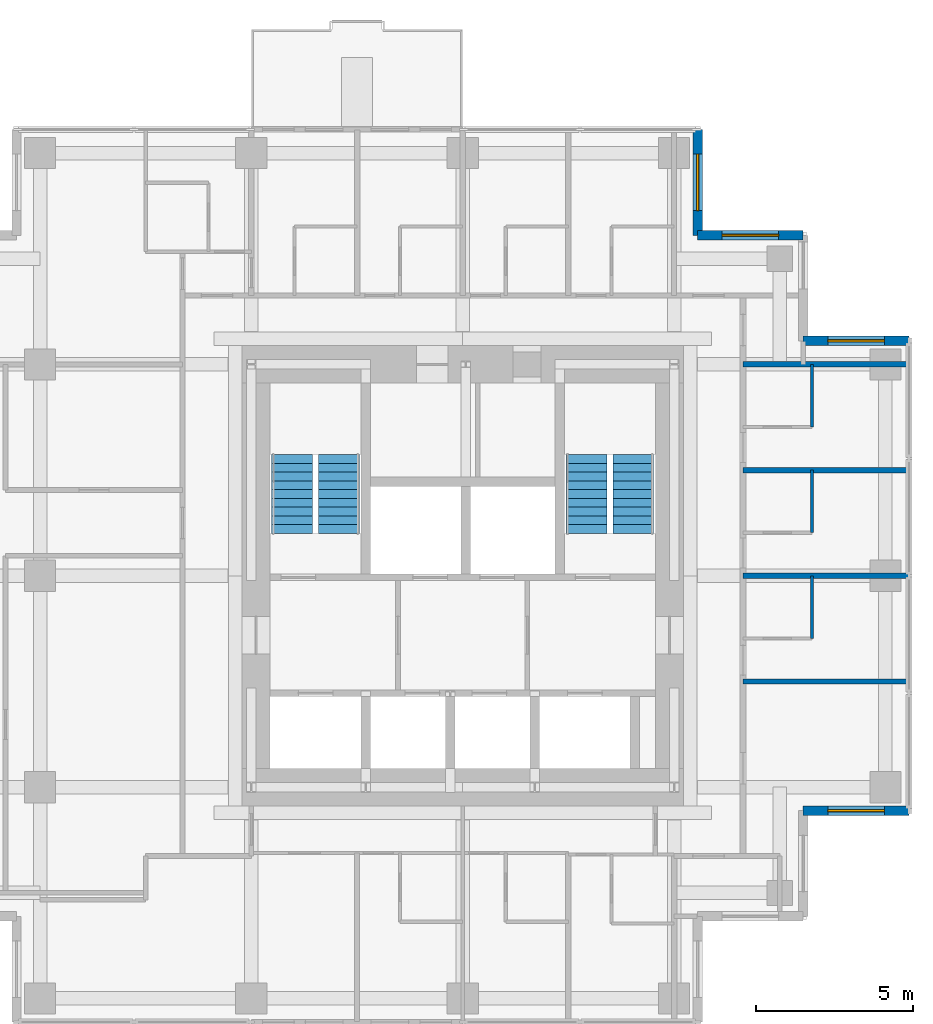
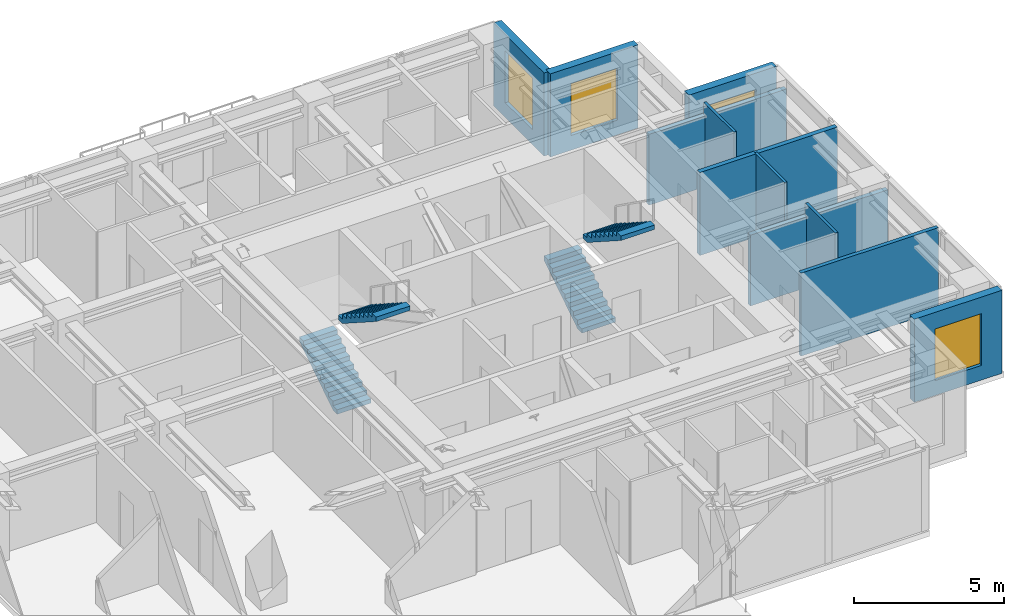
# One storey, part 7 of 8: 11 walls, 4 stair flights, 4 windows, 4 openings, 2 elements without a shape of their own.
"""IFC4 building model written with IfcOpenShell, lengths in metres."""

from ifc_helpers import new_model, si_unit, direction, frame, frame_2d, origin, place, context, subcontext, project, spatial, polyline, rectangle, outline, extrude, material, layer, layer_set, type_object, element, fill, aggregate, save


model = new_model("IFC4")

# Units and contexts
model_context = context("Model", 3, precision=1e-05, world=origin(), true_north=direction((0.0, 1.0)))
body_context = subcontext(model_context, "Body", "Model", "MODEL_VIEW")
ifc_project = project(units=[si_unit("LENGTHUNIT", "METRE"), si_unit("AREAUNIT", "SQUARE_METRE"), si_unit("VOLUMEUNIT", "CUBIC_METRE"), si_unit("PLANEANGLEUNIT", "RADIAN"), si_unit("MASSUNIT", "GRAM", prefix="KILO")], contexts=[model_context])

# Site, building, storey
site_placement = place(None, origin())
site = spatial("IfcSite", under=ifc_project, at=site_placement, CompositionType="ELEMENT")
building_placement = place(site_placement, origin())
building = spatial("IfcBuilding", under=site, at=building_placement, Name="Nyansa Garden Tower", CompositionType="ELEMENT")
storey_placement = place(building_placement, frame((0.0, 0.0, 233.10009765625)))
storey = spatial("IfcBuildingStorey", under=building, at=storey_placement, Name="L63", CompositionType="ELEMENT", Elevation=233.10009765625)

# Walls
ifc_material_1 = material(Name="Dense blockwork, plastered both sides, 55 dB", Category="masonry")
ifc_layer_1 = layer(ifc_material_1, 0.175048828125)
ifc_layer_set_1 = layer_set([ifc_layer_1], Name="Acoustic party wall PW175")
wall_type_1 = type_object("IfcWallType", Name="Acoustic party wall PW175", PredefinedType="PARTITIONING", material=ifc_layer_set_1)
wall_1_placement = place(storey_placement, frame((29.199951171875, 20.25, 0.0), z_axis=(0.0, 0.0, 1.0), x_axis=(1.0, 0.0, 0.0)))
element("IfcWall", 1, at=wall_1_placement, inside=storey, type_object=wall_type_1, Name="Party wall", PredefinedType="PARTITIONING", context=body_context, shape_type="SweptSolid", body=[
    extrude(rectangle(XDim=5.283935546875, YDim=0.175048828125, at=frame_2d((2.64208984375, 0.0))), origin(), (0.0, 0.0, 1.0), 2.876953125),
])
wall_2_placement = place(storey_placement, frame((29.199951171875, 23.625, 0.0), z_axis=(0.0, 0.0, 1.0), x_axis=(1.0, 0.0, 0.0)))
element("IfcWall", 2, at=wall_2_placement, inside=storey, type_object=wall_type_1, Name="Party wall", PredefinedType="PARTITIONING", context=body_context, shape_type="SweptSolid", body=[
    extrude(rectangle(XDim=5.283935546875, YDim=0.175048828125, at=frame_2d((2.64208984375, 0.0))), origin(), (0.0, 0.0, 1.0), 3.375),
])
wall_3_placement = place(storey_placement, frame((29.199951171875, 27.0, 0.0), z_axis=(0.0, 0.0, 1.0), x_axis=(1.0, 0.0, 0.0)))
element("IfcWall", 3, at=wall_3_placement, inside=storey, type_object=wall_type_1, Name="Party wall", PredefinedType="PARTITIONING", context=body_context, shape_type="SweptSolid", body=[
    extrude(rectangle(XDim=5.283935546875, YDim=0.175048828125, at=frame_2d((2.64208984375, 0.0))), origin(), (0.0, 0.0, 1.0), 2.876953125),
])
ifc_material_2 = material(Name="Blockwork, plastered both sides", Category="masonry")
ifc_layer_2 = layer(ifc_material_2, 0.14990234375)
ifc_layer_set_2 = layer_set([ifc_layer_2], Name="Partition PW150")
wall_type_2 = type_object("IfcWallType", Name="Partition PW150", PredefinedType="PARTITIONING", material=ifc_layer_set_2)
wall_4_placement = place(storey_placement, frame((29.199951171875, 16.875, 0.0), z_axis=(0.0, 0.0, 1.0), x_axis=(1.0, 0.0, 0.0)))
element("IfcWall", 4, at=wall_4_placement, inside=storey, type_object=wall_type_2, Name="Partition", PredefinedType="PARTITIONING", context=body_context, shape_type="SweptSolid", body=[
    extrude(rectangle(XDim=5.283935546875, YDim=0.14990234375, at=frame_2d((2.64208984375, 0.0))), origin(), (0.0, 0.0, 1.0), 3.375),
])

# Wall, opening, window
ifc_material_3 = material(Name="Turquoise glazed tile on concrete blockwork", Category="masonry")
ifc_layer_3 = layer(ifc_material_3, 0.300048828125)
ifc_layer_set_3 = layer_set([ifc_layer_3], Name="Tiled corner wall TW300")
wall_type_3 = type_object("IfcWallType", Name="Tiled corner wall TW300", PredefinedType="SOLIDWALL", material=ifc_layer_set_3)
wall_5_placement = place(storey_placement, frame((34.5, 27.75, 0.0), z_axis=(0.0, 0.0, 1.0), x_axis=(-1.0, 0.0, 0.0)))
wall_5 = element("IfcWall", 5, at=wall_5_placement, inside=storey, type_object=wall_type_3, Name="Tiled corner wall L63", PredefinedType="SOLIDWALL", context=body_context, shape_type="SweptSolid", body=[
    extrude(rectangle(XDim=3.375, YDim=0.300048828125, at=frame_2d((1.6875, 0.0))), origin(), (0.0, 0.0, 1.0), 3.375),
])
opening_1_placement = place(wall_5_placement, frame((0.78759765625, 0.0, 0.60009765625)))
opening_1 = element("IfcOpeningElement", 6, at=opening_1_placement, cuts=wall_5, Name="Opening W2", PredefinedType="OPENING", context=body_context, shape_type="SweptSolid", body=[
    extrude(rectangle(XDim=1.800048828125, YDim=2.10009765625, at=frame_2d((0.89990234375, 1.050048828125))), frame((0.0, 0.159912109375, 0.0), z_axis=(0.0, -1.0, 0.0), x_axis=(1.0, 0.0, 0.0)), (0.0, 0.0, 1.0), 0.320068359375),
])
ifc_material_4 = material(Name="Black aluminium frame, dark tinted double glazing", Category="aluminium")
window_type = type_object("IfcWindowType", Name="Window W2 1800x2100", PartitioningType="SINGLE_PANEL", PredefinedType="WINDOW", material=ifc_material_4)
window_1_placement = place(opening_1_placement, origin())
window_1 = element("IfcWindow", 7, at=window_1_placement, inside=storey, type_object=window_type, Name="Corner window L63", OverallHeight=2.10009765625, OverallWidth=1.800048828125, PartitioningType="SINGLE_PANEL", PredefinedType="WINDOW", context=body_context, shape_type="SweptSolid", body=[
    extrude(rectangle(XDim=1.800048828125, YDim=2.10009765625, at=frame_2d((0.89990234375, 1.050048828125))), frame((0.0, 0.030029296875, 0.0), z_axis=(0.0, -1.0, 0.0), x_axis=(1.0, 0.0, 0.0)), (0.0, 0.0, 1.0), 0.06005859375),
])
fill(opening_1, window_1)

wall_6_placement = place(storey_placement, frame((31.125, 31.125, 0.0), z_axis=(0.0, 0.0, 1.0), x_axis=(-1.0, 0.0, 0.0)))
wall_6 = element("IfcWall", 8, at=wall_6_placement, inside=storey, type_object=wall_type_3, Name="Tiled corner wall L63", PredefinedType="SOLIDWALL", context=body_context, shape_type="SweptSolid", body=[
    extrude(rectangle(XDim=3.375, YDim=0.300048828125, at=frame_2d((1.6875, 0.0))), origin(), (0.0, 0.0, 1.0), 3.375),
])
opening_2_placement = place(wall_6_placement, frame((0.78759765625, 0.0, 0.60009765625)))
opening_2 = element("IfcOpeningElement", 9, at=opening_2_placement, cuts=wall_6, Name="Opening W2", PredefinedType="OPENING", context=body_context, shape_type="SweptSolid", body=[
    extrude(rectangle(XDim=1.800048828125, YDim=2.10009765625, at=frame_2d((0.89990234375, 1.050048828125))), frame((0.0, 0.159912109375, 0.0), z_axis=(0.0, -1.0, 0.0), x_axis=(1.0, 0.0, 0.0)), (0.0, 0.0, 1.0), 0.320068359375),
])
window_2_placement = place(opening_2_placement, origin())
window_2 = element("IfcWindow", 10, at=window_2_placement, inside=storey, type_object=window_type, Name="Corner window L63", OverallHeight=2.10009765625, OverallWidth=1.800048828125, PartitioningType="SINGLE_PANEL", PredefinedType="WINDOW", context=body_context, shape_type="SweptSolid", body=[
    extrude(rectangle(XDim=1.800048828125, YDim=2.10009765625, at=frame_2d((0.89990234375, 1.050048828125))), frame((0.0, 0.030029296875, 0.0), z_axis=(0.0, -1.0, 0.0), x_axis=(1.0, 0.0, 0.0)), (0.0, 0.0, 1.0), 0.06005859375),
])
fill(opening_2, window_2)

wall_7_placement = place(storey_placement, frame((27.75, 31.125, 0.0), z_axis=(0.0, 0.0, 1.0), x_axis=(0.0, 1.0, 0.0)))
wall_7 = element("IfcWall", 11, at=wall_7_placement, inside=storey, type_object=wall_type_3, Name="Tiled corner wall L63", PredefinedType="SOLIDWALL", context=body_context, shape_type="SweptSolid", body=[
    extrude(rectangle(XDim=3.375, YDim=0.300048828125, at=frame_2d((1.6875, 0.0))), origin(), (0.0, 0.0, 1.0), 3.375),
])
opening_3_placement = place(wall_7_placement, frame((0.78759765625, 0.0, 0.60009765625)))
opening_3 = element("IfcOpeningElement", 12, at=opening_3_placement, cuts=wall_7, Name="Opening W2", PredefinedType="OPENING", context=body_context, shape_type="SweptSolid", body=[
    extrude(rectangle(XDim=1.800048828125, YDim=2.10009765625, at=frame_2d((0.89990234375, 1.050048828125))), frame((0.0, 0.159912109375, 0.0), z_axis=(0.0, -1.0, 0.0), x_axis=(1.0, 0.0, 0.0)), (0.0, 0.0, 1.0), 0.320068359375),
])
window_3_placement = place(opening_3_placement, origin())
window_3 = element("IfcWindow", 13, at=window_3_placement, inside=storey, type_object=window_type, Name="Corner window L63", OverallHeight=2.10009765625, OverallWidth=1.800048828125, PartitioningType="SINGLE_PANEL", PredefinedType="WINDOW", context=body_context, shape_type="SweptSolid", body=[
    extrude(rectangle(XDim=1.800048828125, YDim=2.10009765625, at=frame_2d((0.89990234375, 1.050048828125))), frame((0.0, 0.030029296875, 0.0), z_axis=(0.0, -1.0, 0.0), x_axis=(1.0, 0.0, 0.0)), (0.0, 0.0, 1.0), 0.06005859375),
])
fill(opening_3, window_3)

wall_8_placement = place(storey_placement, frame((31.125, 12.75, 0.0), z_axis=(0.0, 0.0, 1.0), x_axis=(1.0, 0.0, 0.0)))
wall_8 = element("IfcWall", 14, at=wall_8_placement, inside=storey, type_object=wall_type_3, Name="Tiled corner wall L63", PredefinedType="SOLIDWALL", context=body_context, shape_type="SweptSolid", body=[
    extrude(rectangle(XDim=3.375, YDim=0.300048828125, at=frame_2d((1.6875, 0.0))), origin(), (0.0, 0.0, 1.0), 3.375),
])
opening_4_placement = place(wall_8_placement, frame((0.78759765625, 0.0, 0.60009765625)))
opening_4 = element("IfcOpeningElement", 15, at=opening_4_placement, cuts=wall_8, Name="Opening W2", PredefinedType="OPENING", context=body_context, shape_type="SweptSolid", body=[
    extrude(rectangle(XDim=1.800048828125, YDim=2.10009765625, at=frame_2d((0.89990234375, 1.050048828125))), frame((0.0, 0.159912109375, 0.0), z_axis=(0.0, -1.0, 0.0), x_axis=(1.0, 0.0, 0.0)), (0.0, 0.0, 1.0), 0.320068359375),
])
window_4_placement = place(opening_4_placement, origin())
window_4 = element("IfcWindow", 16, at=window_4_placement, inside=storey, type_object=window_type, Name="Corner window L63", OverallHeight=2.10009765625, OverallWidth=1.800048828125, PartitioningType="SINGLE_PANEL", PredefinedType="WINDOW", context=body_context, shape_type="SweptSolid", body=[
    extrude(rectangle(XDim=1.800048828125, YDim=2.10009765625, at=frame_2d((0.89990234375, 1.050048828125))), frame((0.0, 0.030029296875, 0.0), z_axis=(0.0, -1.0, 0.0), x_axis=(1.0, 0.0, 0.0)), (0.0, 0.0, 1.0), 0.06005859375),
])
fill(opening_4, window_4)

# Walls
ifc_material_5 = material(Name="Moisture resistant board on steel studs, tiled", Category="steel")
ifc_layer_4 = layer(ifc_material_5, 0.10009765625)
ifc_layer_set_4 = layer_set([ifc_layer_4], Name="Wet wall PW100")
wall_type_4 = type_object("IfcWallType", Name="Wet wall PW100", PredefinedType="PARTITIONING", material=ifc_layer_set_4)
for number, where, z_axis, x_axis, name in (
    (17, (31.39990234375, 18.25, 0.0), (0.0, 0.0, 1.0), (0.0, 1.0, 0.0), "Wet wall"),
    (18, (31.39990234375, 21.625, 0.0), (0.0, 0.0, 1.0), (0.0, 1.0, 0.0), "Wet wall"),
    (19, (31.39990234375, 25.0, 0.0), (0.0, 0.0, 1.0), (0.0, 1.0, 0.0), "Wet wall"),
):
    element("IfcWall", number, at=place(storey_placement, frame(where, z_axis=z_axis, x_axis=x_axis)), inside=storey, type_object=wall_type_4, Name=name, PredefinedType="PARTITIONING", context=body_context, shape_type="SweptSolid", body=[
        extrude(rectangle(XDim=2.0, YDim=0.10009765625, at=frame_2d((1.0, 0.0))), origin(), (0.0, 0.0, 1.0), 3.375),
    ])

# Stair, stair flights
ifc_material_6 = material(Name="Precast concrete C40/50", Category="concrete")
stair_type_1 = type_object("IfcStairType", Name="Stair S1 180x280", PredefinedType="HALF_TURN_STAIR", material=ifc_material_6)
stair_1_placement = place(storey_placement, origin())
stair_1 = element("IfcStair", 20, at=stair_1_placement, inside=storey, type_object=stair_type_1, Name="Stair S1 L63", PredefinedType="HALF_TURN_STAIR")
ifc_material_7 = material(Name="Precast concrete C40/50", Category="concrete")
stair_flight_type_1 = type_object("IfcStairFlightType", Name="Stair flight S1 180x280x10", PredefinedType="STRAIGHT", material=ifc_material_7)
stair_flight_1_placement = place(storey_placement, frame((14.800048828125, 21.60009765625, 0.0), z_axis=(0.0, 0.0, 1.0), x_axis=(0.0, 1.0, 0.0)))
stair_flight_1 = element("IfcStairFlight", 21, at=stair_flight_1_placement, type_object=stair_flight_type_1, Name="S1 flight 1", NumberOfRisers=10, NumberOfTreads=9, PredefinedType="STRAIGHT", RiserHeight=0.18, TreadLength=0.28, context=body_context, shape_type="SweptSolid", body=[
    extrude(outline(polyline([(0.0, 0.0), (0.0, 0.179931640625), (0.280029296875, 0.179931640625), (0.280029296875, 0.360107421875), (0.56005859375, 0.360107421875), (0.56005859375, 0.5400390625), (0.840087890625, 0.5400390625), (0.840087890625, 0.719970703125), (1.1201171875, 0.719970703125), (1.1201171875, 0.89990234375), (1.39990234375, 0.89990234375), (1.39990234375, 1.080078125), (1.679931640625, 1.080078125), (1.679931640625, 1.260009765625), (1.9599609375, 1.260009765625), (1.9599609375, 1.43994140625), (2.239990234375, 1.43994140625), (2.239990234375, 1.6201171875), (2.52001953125, 1.6201171875), (2.52001953125, 1.800048828125), (2.52001953125, 1.44189453125), (0.277099609375, 0.0), (0.0, 0.0)])), frame((0.0, 0.64990234375, 0.0), z_axis=(0.0, -1.0, 0.0), x_axis=(1.0, 0.0, 0.0)), (0.0, 0.0, 1.0), 1.300048828125),
])
stair_flight_2_placement = place(storey_placement, frame((16.300048828125, 24.1201171875, 1.7998046875), z_axis=(0.0, 0.0, 1.0), x_axis=(0.0, -1.0, 0.0)))
stair_flight_2 = element("IfcStairFlight", 22, at=stair_flight_2_placement, type_object=stair_flight_type_1, Name="S1 flight 2", NumberOfRisers=10, NumberOfTreads=9, PredefinedType="STRAIGHT", RiserHeight=0.18, TreadLength=0.28, context=body_context, shape_type="SweptSolid", body=[
    extrude(outline(polyline([(0.0, 0.0), (0.0, 0.179931640625), (0.280029296875, 0.179931640625), (0.280029296875, 0.360107421875), (0.56005859375, 0.360107421875), (0.56005859375, 0.5400390625), (0.840087890625, 0.5400390625), (0.840087890625, 0.719970703125), (1.1201171875, 0.719970703125), (1.1201171875, 0.89990234375), (1.39990234375, 0.89990234375), (1.39990234375, 1.080078125), (1.679931640625, 1.080078125), (1.679931640625, 1.260009765625), (1.9599609375, 1.260009765625), (1.9599609375, 1.43994140625), (2.239990234375, 1.43994140625), (2.239990234375, 1.6201171875), (2.52001953125, 1.6201171875), (2.52001953125, 1.800048828125), (2.52001953125, 1.44189453125), (0.277099609375, 0.0), (0.0, 0.0)])), frame((0.0, 0.64990234375, 0.0), z_axis=(0.0, -1.0, 0.0), x_axis=(1.0, 0.0, 0.0)), (0.0, 0.0, 1.0), 1.300048828125),
])
aggregate(stair_1, [stair_flight_1, stair_flight_2])

ifc_material_8 = material(Name="Precast concrete C40/50", Category="concrete")
stair_type_2 = type_object("IfcStairType", Name="Stair S2 180x280", PredefinedType="HALF_TURN_STAIR", material=ifc_material_8)
stair_2_placement = place(storey_placement, origin())
stair_2 = element("IfcStair", 23, at=stair_2_placement, inside=storey, type_object=stair_type_2, Name="Stair S2 L63", PredefinedType="HALF_TURN_STAIR")
ifc_material_9 = material(Name="Precast concrete C40/50", Category="concrete")
stair_flight_type_2 = type_object("IfcStairFlightType", Name="Stair flight S2 180x280x10", PredefinedType="STRAIGHT", material=ifc_material_9)
stair_flight_3_placement = place(storey_placement, frame((24.199951171875, 21.60009765625, 0.0), z_axis=(0.0, 0.0, 1.0), x_axis=(0.0, 1.0, 0.0)))
stair_flight_3 = element("IfcStairFlight", 24, at=stair_flight_3_placement, type_object=stair_flight_type_2, Name="S2 flight 1", NumberOfRisers=10, NumberOfTreads=9, PredefinedType="STRAIGHT", RiserHeight=0.18, TreadLength=0.28, context=body_context, shape_type="SweptSolid", body=[
    extrude(outline(polyline([(0.0, 0.0), (0.0, 0.179931640625), (0.280029296875, 0.179931640625), (0.280029296875, 0.360107421875), (0.56005859375, 0.360107421875), (0.56005859375, 0.5400390625), (0.840087890625, 0.5400390625), (0.840087890625, 0.719970703125), (1.1201171875, 0.719970703125), (1.1201171875, 0.89990234375), (1.39990234375, 0.89990234375), (1.39990234375, 1.080078125), (1.679931640625, 1.080078125), (1.679931640625, 1.260009765625), (1.9599609375, 1.260009765625), (1.9599609375, 1.43994140625), (2.239990234375, 1.43994140625), (2.239990234375, 1.6201171875), (2.52001953125, 1.6201171875), (2.52001953125, 1.800048828125), (2.52001953125, 1.44189453125), (0.277099609375, 0.0), (0.0, 0.0)])), frame((0.0, 0.64990234375, 0.0), z_axis=(0.0, -1.0, 0.0), x_axis=(1.0, 0.0, 0.0)), (0.0, 0.0, 1.0), 1.300048828125),
])
stair_flight_4_placement = place(storey_placement, frame((25.699951171875, 24.1201171875, 1.7998046875), z_axis=(0.0, 0.0, 1.0), x_axis=(0.0, -1.0, 0.0)))
stair_flight_4 = element("IfcStairFlight", 25, at=stair_flight_4_placement, type_object=stair_flight_type_2, Name="S2 flight 2", NumberOfRisers=10, NumberOfTreads=9, PredefinedType="STRAIGHT", RiserHeight=0.18, TreadLength=0.28, context=body_context, shape_type="SweptSolid", body=[
    extrude(outline(polyline([(0.0, 0.0), (0.0, 0.179931640625), (0.280029296875, 0.179931640625), (0.280029296875, 0.360107421875), (0.56005859375, 0.360107421875), (0.56005859375, 0.5400390625), (0.840087890625, 0.5400390625), (0.840087890625, 0.719970703125), (1.1201171875, 0.719970703125), (1.1201171875, 0.89990234375), (1.39990234375, 0.89990234375), (1.39990234375, 1.080078125), (1.679931640625, 1.080078125), (1.679931640625, 1.260009765625), (1.9599609375, 1.260009765625), (1.9599609375, 1.43994140625), (2.239990234375, 1.43994140625), (2.239990234375, 1.6201171875), (2.52001953125, 1.6201171875), (2.52001953125, 1.800048828125), (2.52001953125, 1.44189453125), (0.277099609375, 0.0), (0.0, 0.0)])), frame((0.0, 0.64990234375, 0.0), z_axis=(0.0, -1.0, 0.0), x_axis=(1.0, 0.0, 0.0)), (0.0, 0.0, 1.0), 1.300048828125),
])
aggregate(stair_2, [stair_flight_3, stair_flight_4])

save(model, "model.ifc")
